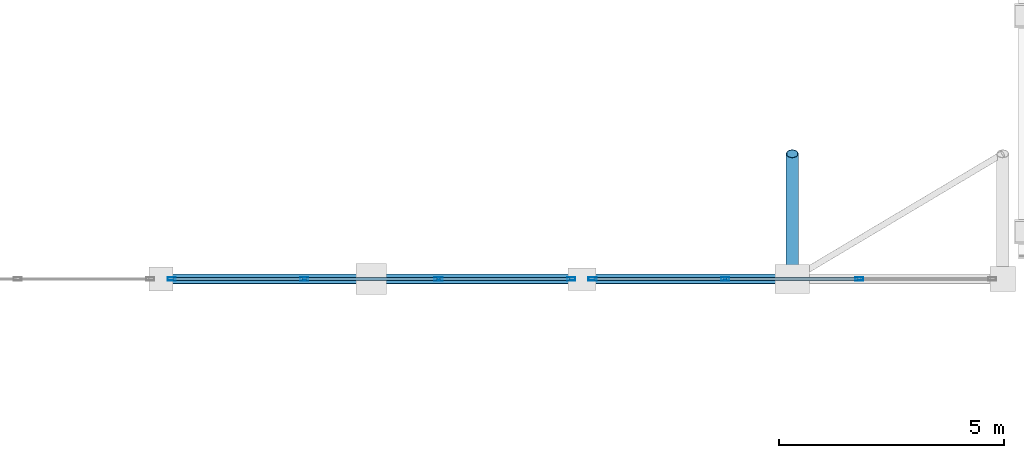
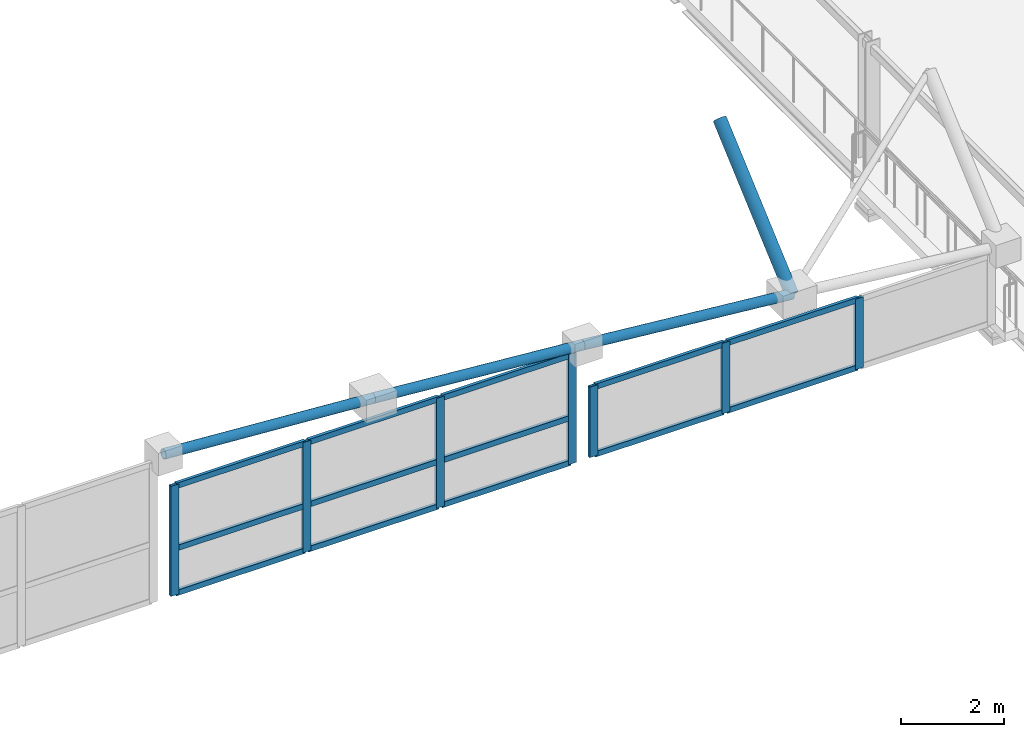
# One storey, part 39 of 60: 23 members, 1 beam, 2 elements without a shape of their own.
"""IFC4 building model written with IfcOpenShell, lengths in metres."""

from ifc_helpers import new_model, si_unit, direction, frame, origin, origin_2d, place, context, subcontext, project, spatial, hollow_rectangle, hollow_circle, extrude, material, layer, layer_set, material_profile, profile_set, type_object, element, aggregate, save


model = new_model("IFC4")

# Units and contexts
model_context = context("Model", 3, precision=1e-05, world=origin(), true_north=direction((0.0, 1.0)))
body_context = subcontext(model_context, "Body", "Model", "MODEL_VIEW")
ifc_project = project(units=[si_unit("LENGTHUNIT", "METRE"), si_unit("AREAUNIT", "SQUARE_METRE"), si_unit("VOLUMEUNIT", "CUBIC_METRE"), si_unit("PLANEANGLEUNIT", "RADIAN"), si_unit("MASSUNIT", "GRAM", prefix="KILO")], contexts=[model_context])

# Site, building, storey
site_placement = place(None, origin())
site = spatial("IfcSite", under=ifc_project, at=site_placement, CompositionType="ELEMENT")
building_placement = place(site_placement, origin())
building = spatial("IfcBuilding", under=site, at=building_placement, Name="Quillay Park Conservatory", CompositionType="ELEMENT")
storey_placement = place(building_placement, frame((0.0, 0.0, 9.89990234375)))
storey = spatial("IfcBuildingStorey", under=building, at=storey_placement, Name="L02", CompositionType="ELEMENT", Elevation=9.89990234375)

# Curtain wall, members
ifc_material_1 = material(Name="Thermally Broken Anodised Aluminium 6063-T6", Category="aluminium")
ifc_layer = layer(ifc_material_1, 0.219970703125)
ifc_layer_set = layer_set([ifc_layer], Name="UNITISED CURTAIN WALL CONSERVATORY (Thermally Broken Anodised Aluminium 6063-T6)")
curtain_wall_type = type_object("IfcCurtainWallType", Name="UNITISED CURTAIN WALL CONSERVATORY", PredefinedType="USERDEFINED", material=ifc_layer_set)
curtain_wall_1_placement = place(storey_placement, origin())
curtain_wall_1 = element("IfcCurtainWall", 1, at=curtain_wall_1_placement, inside=storey, type_object=curtain_wall_type, Name="L02 Unitised Curtain Wall 194", ObjectType="UNITISED CURTAIN WALL", PredefinedType="USERDEFINED")
ifc_material_2 = material(Name="Thermally Broken Anodised Aluminium 6063-T6", Category="aluminium")
ifc_material_profile_1 = material_profile(ifc_material_2, hollow_rectangle(XDim=0.070068359375, YDim=0.179931640625, WallThickness=0.00390625, at=origin_2d()), Name="AL70x180x4")
ifc_profile_set_1 = profile_set([ifc_material_profile_1], Name="Thermally Broken Anodised Aluminium 6063-T6")
member_type_1 = type_object("IfcMemberType", Name="CURTAIN WALL MULLION 70 X180", PredefinedType="MULLION", material=ifc_profile_set_1)
member_1_placement = place(storey_placement, frame((105.25732421875, 85.550048828125, 0.7001953125), z_axis=(0.0, 0.0, 1.0), x_axis=(0.0, -1.0, 0.0)))
member_1 = element("IfcMember", 2, at=member_1_placement, type_object=member_type_1, Name="CW-C1 mullion 1", PredefinedType="MULLION", context=body_context, shape_type="SweptSolid", body=[
    extrude(hollow_rectangle(XDim=0.070068359375, YDim=0.179931640625, WallThickness=0.00390625, at=origin_2d()), origin(), (0.0, 0.0, 1.0), 2.599365234375),
])
member_2_placement = place(storey_placement, frame((102.30859375, 85.550048828125, 0.7001953125), z_axis=(0.0, 0.0, 1.0), x_axis=(0.0, -1.0, 0.0)))
member_2 = element("IfcMember", 3, at=member_2_placement, type_object=member_type_1, Name="CW-C1 mullion 2", PredefinedType="MULLION", context=body_context, shape_type="SweptSolid", body=[
    extrude(hollow_rectangle(XDim=0.070068359375, YDim=0.179931640625, WallThickness=0.00390625, at=origin_2d()), origin(), (0.0, 0.0, 1.0), 2.599365234375),
])
member_3_placement = place(storey_placement, frame((99.32470703125, 85.550048828125, 0.7001953125), z_axis=(0.0, 0.0, 1.0), x_axis=(0.0, -1.0, 0.0)))
member_3 = element("IfcMember", 4, at=member_3_placement, type_object=member_type_1, Name="CW-C1 mullion 3", PredefinedType="MULLION", context=body_context, shape_type="SweptSolid", body=[
    extrude(hollow_rectangle(XDim=0.070068359375, YDim=0.179931640625, WallThickness=0.00390625, at=origin_2d()), origin(), (0.0, 0.0, 1.0), 2.599365234375),
])
member_4_placement = place(storey_placement, frame((96.3759765625, 85.550048828125, 0.7001953125), z_axis=(0.0, 0.0, 1.0), x_axis=(0.0, -1.0, 0.0)))
member_4 = element("IfcMember", 5, at=member_4_placement, type_object=member_type_1, Name="CW-C1 mullion 4", PredefinedType="MULLION", context=body_context, shape_type="SweptSolid", body=[
    extrude(hollow_rectangle(XDim=0.070068359375, YDim=0.179931640625, WallThickness=0.00390625, at=origin_2d()), origin(), (0.0, 0.0, 1.0), 2.599365234375),
])

curtain_wall_2_placement = place(storey_placement, origin())
curtain_wall_2 = element("IfcCurtainWall", 6, at=curtain_wall_2_placement, inside=storey, type_object=curtain_wall_type, Name="L02 Unitised Curtain Wall 195", ObjectType="UNITISED CURTAIN WALL", PredefinedType="USERDEFINED")
member_5_placement = place(storey_placement, frame((111.6640625, 85.550048828125, 0.7001953125), z_axis=(0.0, 0.0, 1.0), x_axis=(0.0, -1.0, 0.0)))
member_5 = element("IfcMember", 7, at=member_5_placement, type_object=member_type_1, Name="CW-C1 mullion 2", PredefinedType="MULLION", context=body_context, shape_type="SweptSolid", body=[
    extrude(hollow_rectangle(XDim=0.070068359375, YDim=0.179931640625, WallThickness=0.00390625, at=origin_2d()), origin(), (0.0, 0.0, 1.0), 1.665771484375),
])
member_6_placement = place(storey_placement, frame((108.68017578125, 85.550048828125, 0.7001953125), z_axis=(0.0, 0.0, 1.0), x_axis=(0.0, -1.0, 0.0)))
member_6 = element("IfcMember", 8, at=member_6_placement, type_object=member_type_1, Name="CW-C1 mullion 3", PredefinedType="MULLION", context=body_context, shape_type="SweptSolid", body=[
    extrude(hollow_rectangle(XDim=0.070068359375, YDim=0.179931640625, WallThickness=0.00390625, at=origin_2d()), origin(), (0.0, 0.0, 1.0), 1.665771484375),
])
member_7_placement = place(storey_placement, frame((105.7314453125, 85.550048828125, 0.7001953125), z_axis=(0.0, 0.0, 1.0), x_axis=(0.0, -1.0, 0.0)))
member_7 = element("IfcMember", 9, at=member_7_placement, type_object=member_type_1, Name="CW-C1 mullion 4", PredefinedType="MULLION", context=body_context, shape_type="SweptSolid", body=[
    extrude(hollow_rectangle(XDim=0.070068359375, YDim=0.179931640625, WallThickness=0.00390625, at=origin_2d()), origin(), (0.0, 0.0, 1.0), 1.665771484375),
])

# Member
ifc_material_3 = material(Name="Thermally Broken Anodised Aluminium 6063-T6", Category="aluminium")
ifc_material_profile_2 = material_profile(ifc_material_3, hollow_rectangle(XDim=0.070068359375, YDim=0.1298828125, WallThickness=0.003173828125, at=origin_2d()), Name="AL70x130x3.2")
ifc_profile_set_2 = profile_set([ifc_material_profile_2], Name="Thermally Broken Anodised Aluminium 6063-T6")
member_type_2 = type_object("IfcMemberType", Name="CURTAIN WALL TRANSOM 70 X130", PredefinedType="USERDEFINED", material=ifc_profile_set_2)
member_8_placement = place(storey_placement, frame((105.222412109375, 85.550048828125, 0.735107421875), z_axis=(-1.0, 0.0, 0.0), x_axis=(0.0, -1.0, 0.0)))
member_8 = element("IfcMember", 10, at=member_8_placement, type_object=member_type_2, Name="CW-C1 transom 1.1", ObjectType="TRANSOM", PredefinedType="USERDEFINED", context=body_context, shape_type="SweptSolid", body=[
    extrude(hollow_rectangle(XDim=0.070068359375, YDim=0.1298828125, WallThickness=0.003173828125, at=origin_2d()), origin(), (0.0, 0.0, 1.0), 2.87890625),
])

member_9_placement = place(storey_placement, frame((105.222412109375, 85.550048828125, 1.7919921875), z_axis=(-1.0, 0.0, 0.0), x_axis=(0.0, -1.0, 0.0)))
member_9 = element("IfcMember", 11, at=member_9_placement, type_object=member_type_2, Name="CW-C1 transom 1.2", ObjectType="TRANSOM", PredefinedType="USERDEFINED", context=body_context, shape_type="SweptSolid", body=[
    extrude(hollow_rectangle(XDim=0.070068359375, YDim=0.1298828125, WallThickness=0.003173828125, at=origin_2d()), origin(), (0.0, 0.0, 1.0), 2.87890625),
])

member_10_placement = place(storey_placement, frame((105.222412109375, 85.550048828125, 3.2646484375), z_axis=(-1.0, 0.0, 0.0), x_axis=(0.0, -1.0, 0.0)))
member_10 = element("IfcMember", 12, at=member_10_placement, type_object=member_type_2, Name="CW-C1 transom 1.3", ObjectType="TRANSOM", PredefinedType="USERDEFINED", context=body_context, shape_type="SweptSolid", body=[
    extrude(hollow_rectangle(XDim=0.070068359375, YDim=0.1298828125, WallThickness=0.003173828125, at=origin_2d()), origin(), (0.0, 0.0, 1.0), 2.87890625),
])

member_11_placement = place(storey_placement, frame((102.273681640625, 85.550048828125, 0.735107421875), z_axis=(-1.0, 0.0, 0.0), x_axis=(0.0, -1.0, 0.0)))
member_11 = element("IfcMember", 13, at=member_11_placement, type_object=member_type_2, Name="CW-C1 transom 2.1", ObjectType="TRANSOM", PredefinedType="USERDEFINED", context=body_context, shape_type="SweptSolid", body=[
    extrude(hollow_rectangle(XDim=0.070068359375, YDim=0.1298828125, WallThickness=0.003173828125, at=origin_2d()), origin(), (0.0, 0.0, 1.0), 2.9140625),
])

member_12_placement = place(storey_placement, frame((102.273681640625, 85.550048828125, 1.7919921875), z_axis=(-1.0, 0.0, 0.0), x_axis=(0.0, -1.0, 0.0)))
member_12 = element("IfcMember", 14, at=member_12_placement, type_object=member_type_2, Name="CW-C1 transom 2.2", ObjectType="TRANSOM", PredefinedType="USERDEFINED", context=body_context, shape_type="SweptSolid", body=[
    extrude(hollow_rectangle(XDim=0.070068359375, YDim=0.1298828125, WallThickness=0.003173828125, at=origin_2d()), origin(), (0.0, 0.0, 1.0), 2.9140625),
])

member_13_placement = place(storey_placement, frame((102.273681640625, 85.550048828125, 3.2646484375), z_axis=(-1.0, 0.0, 0.0), x_axis=(0.0, -1.0, 0.0)))
member_13 = element("IfcMember", 15, at=member_13_placement, type_object=member_type_2, Name="CW-C1 transom 2.3", ObjectType="TRANSOM", PredefinedType="USERDEFINED", context=body_context, shape_type="SweptSolid", body=[
    extrude(hollow_rectangle(XDim=0.070068359375, YDim=0.1298828125, WallThickness=0.003173828125, at=origin_2d()), origin(), (0.0, 0.0, 1.0), 2.9140625),
])

member_14_placement = place(storey_placement, frame((99.289794921875, 85.550048828125, 0.735107421875), z_axis=(-1.0, 0.0, 0.0), x_axis=(0.0, -1.0, 0.0)))
member_14 = element("IfcMember", 16, at=member_14_placement, type_object=member_type_2, Name="CW-C1 transom 3.1", ObjectType="TRANSOM", PredefinedType="USERDEFINED", context=body_context, shape_type="SweptSolid", body=[
    extrude(hollow_rectangle(XDim=0.070068359375, YDim=0.1298828125, WallThickness=0.003173828125, at=origin_2d()), origin(), (0.0, 0.0, 1.0), 2.87890625),
])

member_15_placement = place(storey_placement, frame((99.289794921875, 85.550048828125, 1.7919921875), z_axis=(-1.0, 0.0, 0.0), x_axis=(0.0, -1.0, 0.0)))
member_15 = element("IfcMember", 17, at=member_15_placement, type_object=member_type_2, Name="CW-C1 transom 3.2", ObjectType="TRANSOM", PredefinedType="USERDEFINED", context=body_context, shape_type="SweptSolid", body=[
    extrude(hollow_rectangle(XDim=0.070068359375, YDim=0.1298828125, WallThickness=0.003173828125, at=origin_2d()), origin(), (0.0, 0.0, 1.0), 2.87890625),
])

member_16_placement = place(storey_placement, frame((99.289794921875, 85.550048828125, 3.2646484375), z_axis=(-1.0, 0.0, 0.0), x_axis=(0.0, -1.0, 0.0)))
member_16 = element("IfcMember", 18, at=member_16_placement, type_object=member_type_2, Name="CW-C1 transom 3.3", ObjectType="TRANSOM", PredefinedType="USERDEFINED", context=body_context, shape_type="SweptSolid", body=[
    extrude(hollow_rectangle(XDim=0.070068359375, YDim=0.1298828125, WallThickness=0.003173828125, at=origin_2d()), origin(), (0.0, 0.0, 1.0), 2.87890625),
])

aggregate(curtain_wall_1, [member_1, member_2, member_3, member_4, member_8, member_9, member_10, member_11, member_12, member_13, member_14, member_15, member_16])

member_17_placement = place(storey_placement, frame((111.629150390625, 85.550048828125, 0.735107421875), z_axis=(-1.0, 0.0, 0.0), x_axis=(0.0, -1.0, 0.0)))
member_17 = element("IfcMember", 19, at=member_17_placement, type_object=member_type_2, Name="CW-C1 transom 2.1", ObjectType="TRANSOM", PredefinedType="USERDEFINED", context=body_context, shape_type="SweptSolid", body=[
    extrude(hollow_rectangle(XDim=0.070068359375, YDim=0.1298828125, WallThickness=0.003173828125, at=origin_2d()), origin(), (0.0, 0.0, 1.0), 2.913818359375),
])

member_18_placement = place(storey_placement, frame((111.629150390625, 85.550048828125, 2.3310546875), z_axis=(-1.0, 0.0, 0.0), x_axis=(0.0, -1.0, 0.0)))
member_18 = element("IfcMember", 20, at=member_18_placement, type_object=member_type_2, Name="CW-C1 transom 2.2", ObjectType="TRANSOM", PredefinedType="USERDEFINED", context=body_context, shape_type="SweptSolid", body=[
    extrude(hollow_rectangle(XDim=0.070068359375, YDim=0.1298828125, WallThickness=0.003173828125, at=origin_2d()), origin(), (0.0, 0.0, 1.0), 2.913818359375),
])

member_19_placement = place(storey_placement, frame((108.645263671875, 85.550048828125, 0.735107421875), z_axis=(-1.0, 0.0, 0.0), x_axis=(0.0, -1.0, 0.0)))
member_19 = element("IfcMember", 21, at=member_19_placement, type_object=member_type_2, Name="CW-C1 transom 3.1", ObjectType="TRANSOM", PredefinedType="USERDEFINED", context=body_context, shape_type="SweptSolid", body=[
    extrude(hollow_rectangle(XDim=0.070068359375, YDim=0.1298828125, WallThickness=0.003173828125, at=origin_2d()), origin(), (0.0, 0.0, 1.0), 2.87890625),
])

member_20_placement = place(storey_placement, frame((108.645263671875, 85.550048828125, 2.3310546875), z_axis=(-1.0, 0.0, 0.0), x_axis=(0.0, -1.0, 0.0)))
member_20 = element("IfcMember", 22, at=member_20_placement, type_object=member_type_2, Name="CW-C1 transom 3.2", ObjectType="TRANSOM", PredefinedType="USERDEFINED", context=body_context, shape_type="SweptSolid", body=[
    extrude(hollow_rectangle(XDim=0.070068359375, YDim=0.1298828125, WallThickness=0.003173828125, at=origin_2d()), origin(), (0.0, 0.0, 1.0), 2.87890625),
])

aggregate(curtain_wall_2, [member_5, member_6, member_7, member_17, member_18, member_19, member_20])

# Beam
ifc_material_4 = material(Name="Steel S355J2H", Category="steel")
ifc_material_profile_3 = material_profile(ifc_material_4, hollow_circle(Radius=0.136474609375, WallThickness=0.012451171875, at=origin_2d()), Name="CHS273x12.5")
ifc_profile_set_3 = profile_set([ifc_material_profile_3], Name="Steel S355J2H")
beam_type = type_object("IfcBeamType", Name="GRIDSHELL ARCH BEAM CHS273", PredefinedType="USERDEFINED", material=ifc_profile_set_3)
beam_placement = place(storey_placement, frame((110.172119140625, 85.550048828125, 2.962158203125), z_axis=(0.0, 0.751437038609, 0.659804802201), x_axis=(-1.0, 0.0, 0.0)))
element("IfcBeam", 23, at=beam_placement, inside=storey, type_object=beam_type, Name="Gridshell member GS-ARCH-17-00", ObjectType="GRIDSHELL ARCH BEAM", PredefinedType="USERDEFINED", context=body_context, shape_type="SweptSolid", body=[
    extrude(hollow_circle(Radius=0.136474609375, WallThickness=0.012451171875, at=origin_2d()), origin(), (0.0, 0.0, 1.0), 3.7060546875),
])

# Members
ifc_material_5 = material(Name="Steel S355J2H", Category="steel")
ifc_material_profile_4 = material_profile(ifc_material_5, hollow_circle(Radius=0.109619140625, WallThickness=0.010009765625, at=origin_2d()), Name="CHS219.1x10")
ifc_profile_set_4 = profile_set([ifc_material_profile_4], Name="Steel S355J2H")
member_type_3 = type_object("IfcMemberType", Name="GRIDSHELL ARCH RIB CHS219", PredefinedType="USERDEFINED", material=ifc_profile_set_4)
member_21_placement = place(storey_placement, frame((96.138916015625, 85.550048828125, 4.098876953125), z_axis=(0.997663732084, 0.0, -0.068316013387), x_axis=(0.0, 1.0, 0.0)))
element("IfcMember", 24, at=member_21_placement, inside=storey, type_object=member_type_3, Name="Gridshell member GS-RIB-14-00", ObjectType="GRIDSHELL ARCH RIB", PredefinedType="USERDEFINED", context=body_context, shape_type="SweptSolid", body=[
    extrude(hollow_circle(Radius=0.109619140625, WallThickness=0.010009765625, at=origin_2d()), origin(), (0.0, 0.0, 1.0), 4.688720703125),
])
member_22_placement = place(storey_placement, frame((100.816650390625, 85.550048828125, 3.778564453125), z_axis=(0.996735387311, 0.0, -0.080737647239), x_axis=(0.0, 1.0, 0.0)))
element("IfcMember", 25, at=member_22_placement, inside=storey, type_object=member_type_3, Name="Gridshell member GS-RIB-15-00", ObjectType="GRIDSHELL ARCH RIB", PredefinedType="USERDEFINED", context=body_context, shape_type="SweptSolid", body=[
    extrude(hollow_circle(Radius=0.109619140625, WallThickness=0.010009765625, at=origin_2d()), origin(), (0.0, 0.0, 1.0), 4.693115234375),
])
member_23_placement = place(storey_placement, frame((105.494384765625, 85.550048828125, 3.399658203125), z_axis=(0.995654726514, 0.0, -0.093121778179), x_axis=(0.0, 1.0, 0.0)))
element("IfcMember", 26, at=member_23_placement, inside=storey, type_object=member_type_3, Name="Gridshell member GS-RIB-16-00", ObjectType="GRIDSHELL ARCH RIB", PredefinedType="USERDEFINED", context=body_context, shape_type="SweptSolid", body=[
    extrude(hollow_circle(Radius=0.109619140625, WallThickness=0.010009765625, at=origin_2d()), origin(), (0.0, 0.0, 1.0), 4.6982421875),
])

save(model, "model.ifc")
